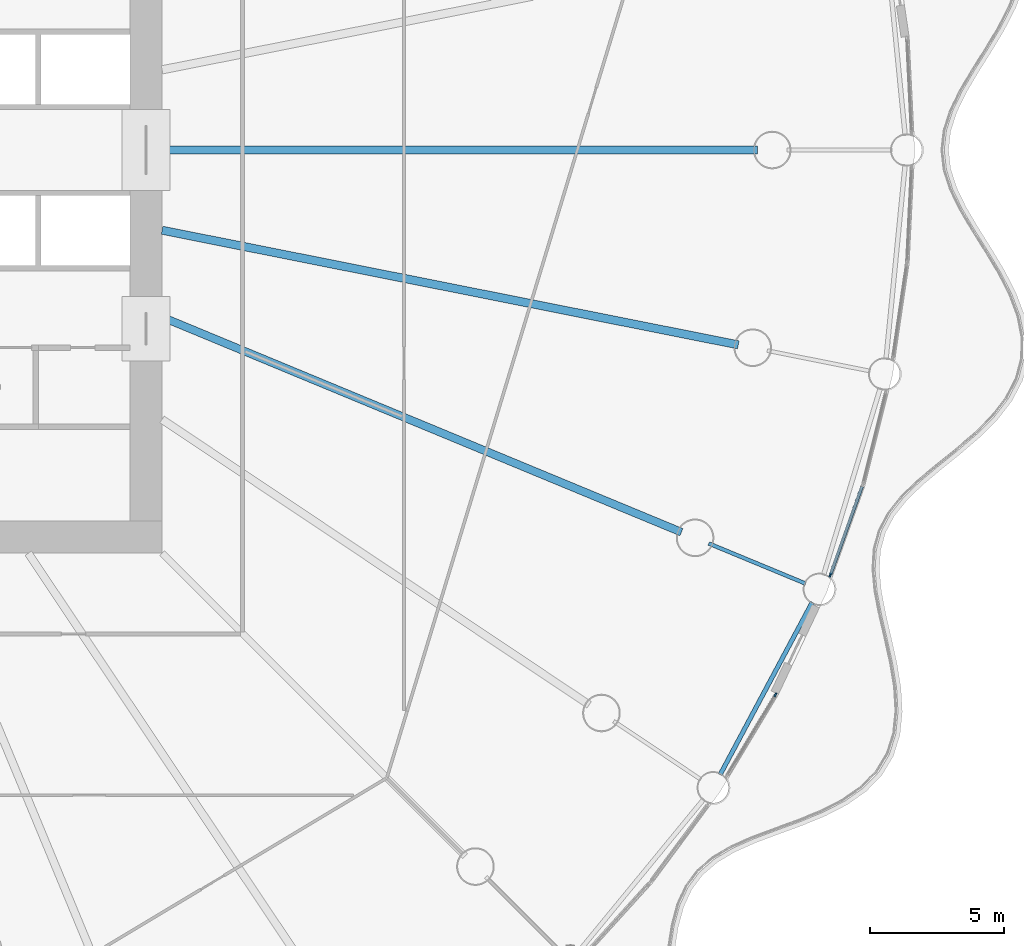
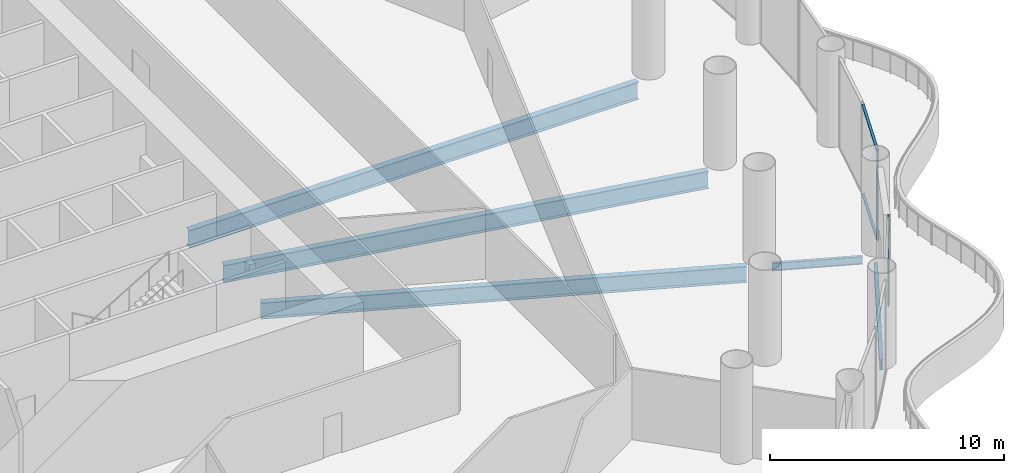
# One storey, part 11 of 35: 5 beams, 4 members, 2 elements without a shape of their own.
"""IFC4 building model written with IfcOpenShell, lengths in metres."""

from ifc_helpers import new_model, si_unit, direction, frame, origin, origin_2d, place, context, subcontext, project, spatial, rectangle, i_section, extrude, material, material_profile, profile_set, type_object, element, aggregate, save


model = new_model("IFC4")

# Units and contexts
model_context = context("Model", 3, precision=1e-05, world=origin(), true_north=direction((0.0, 1.0)))
body_context = subcontext(model_context, "Body", "Model", "MODEL_VIEW")
ifc_project = project(units=[si_unit("LENGTHUNIT", "METRE"), si_unit("AREAUNIT", "SQUARE_METRE"), si_unit("VOLUMEUNIT", "CUBIC_METRE"), si_unit("PLANEANGLEUNIT", "RADIAN"), si_unit("MASSUNIT", "GRAM", prefix="KILO")], contexts=[model_context])

# Site, building, storey
site_placement = place(None, origin())
site = spatial("IfcSite", under=ifc_project, at=site_placement, CompositionType="ELEMENT")
building_placement = place(site_placement, origin())
building = spatial("IfcBuilding", under=site, at=building_placement, Name="Corvane Civic Tower", CompositionType="ELEMENT")
storey_placement = place(building_placement, frame((0.0, 0.0, 22.0)))
storey = spatial("IfcBuildingStorey", under=building, at=storey_placement, Name="L04", CompositionType="ELEMENT", Elevation=22.0)

# Beams
ifc_material_1 = material(Name="Steel ASTM A992 Gr 50", Category="steel")
ifc_material_profile_1 = material_profile(ifc_material_1, i_section(OverallWidth=0.165771484375, OverallDepth=0.5283203125, WebThickness=0.009765625, FlangeThickness=0.013671875, at=origin_2d()), Name="W21X50")
ifc_profile_set_1 = profile_set([ifc_material_profile_1], Name="Steel ASTM A992 Gr 50")
beam_type_1 = type_object("IfcBeamType", Name="EDGE BEAM W21X50", PredefinedType="BEAM", material=ifc_profile_set_1)
beam_1_placement = place(storey_placement, frame((39.1904296875, -16.82568359375, -0.564208984375), z_axis=(-0.471412394598, -0.881912894916, 0.0), x_axis=(0.881912894916, -0.471412394598, 0.0)))
element("IfcBeam", 1, at=beam_1_placement, inside=storey, type_object=beam_type_1, Name="BM-L04-E11", PredefinedType="BEAM", context=body_context, shape_type="SweptSolid", body=[
    extrude(i_section(OverallWidth=0.165771484375, OverallDepth=0.5283203125, WebThickness=0.009765625, FlangeThickness=0.013671875, at=origin_2d()), origin(), (0.0, 0.0, 1.0), 7.270751953125),
])
ifc_material_2 = material(Name="Steel ASTM A992 Gr 50", Category="steel")
ifc_material_profile_2 = material_profile(ifc_material_2, i_section(OverallWidth=0.140380859375, OverallDepth=0.40380859375, WebThickness=0.007080078125, FlangeThickness=0.01123046875, at=origin_2d()), Name="W16X31")
ifc_profile_set_2 = profile_set([ifc_material_profile_2], Name="Steel ASTM A992 Gr 50")
beam_type_2 = type_object("IfcBeamType", Name="FLOOR GIRDER W16X31", PredefinedType="BEAM", material=ifc_profile_set_2)
beam_2_placement = place(storey_placement, frame((35.33837890625, -14.6376953125, -0.501953125), z_axis=(0.923878730261, -0.382685369162, 0.0), x_axis=(0.382685369162, 0.923878730261, 0.0)))
element("IfcBeam", 2, at=beam_2_placement, inside=storey, type_object=beam_type_2, Name="BM-L04-G11b", PredefinedType="BEAM", context=body_context, shape_type="SweptSolid", body=[
    extrude(i_section(OverallWidth=0.140380859375, OverallDepth=0.40380859375, WebThickness=0.007080078125, FlangeThickness=0.01123046875, at=origin_2d()), origin(), (0.0, 0.0, 1.0), 3.89990234375),
])
ifc_material_3 = material(Name="Steel ASTM A992 Gr 50", Category="steel")
ifc_material_profile_3 = material_profile(ifc_material_3, i_section(OverallWidth=0.2919921875, OverallDepth=0.845703125, WebThickness=0.015380859375, FlangeThickness=0.0244140625, at=origin_2d()), Name="W33X141")
ifc_profile_set_3 = profile_set([ifc_material_profile_3], Name="Steel ASTM A992 Gr 50")
beam_type_3 = type_object("IfcBeamType", Name="FLOOR GIRDER W33X141", PredefinedType="BEAM", material=ifc_profile_set_3)
beam_3_placement = place(storey_placement, frame((15.0, -6.213134765625, -0.722900390625), z_axis=(0.923875834355, -0.382692360381, 0.0), x_axis=(0.382692360381, 0.923875834355, 0.0)))
element("IfcBeam", 3, at=beam_3_placement, inside=storey, type_object=beam_type_3, Name="BM-L04-G11", PredefinedType="BEAM", context=body_context, shape_type="SweptSolid", body=[
    extrude(i_section(OverallWidth=0.2919921875, OverallDepth=0.845703125, WebThickness=0.015380859375, FlangeThickness=0.0244140625, at=origin_2d()), origin(), (0.0, 0.0, 1.0), 20.9140625),
])
ifc_material_4 = material(Name="Steel ASTM A992 Gr 50", Category="steel")
ifc_material_profile_4 = material_profile(ifc_material_4, i_section(OverallWidth=0.3046875, OverallDepth=0.911865234375, WebThickness=0.015869140625, FlangeThickness=0.02392578125, at=origin_2d()), Name="W36X150")
ifc_profile_set_4 = profile_set([ifc_material_profile_4], Name="Steel ASTM A992 Gr 50")
beam_type_4 = type_object("IfcBeamType", Name="FLOOR GIRDER W36X150", PredefinedType="BEAM", material=ifc_profile_set_4)
beam_4_placement = place(storey_placement, frame((15.0, 0.0, -0.755859375), z_axis=(1.0, 0.0, 0.0), x_axis=(0.0, 1.0, 0.0)))
element("IfcBeam", 4, at=beam_4_placement, inside=storey, type_object=beam_type_4, Name="BM-L04-G09", PredefinedType="BEAM", context=body_context, shape_type="SweptSolid", body=[
    extrude(i_section(OverallWidth=0.3046875, OverallDepth=0.911865234375, WebThickness=0.015869140625, FlangeThickness=0.02392578125, at=origin_2d()), origin(), (0.0, 0.0, 1.0), 22.14990234375),
])
beam_5_placement = place(storey_placement, frame((15.0, -2.983642578125, -0.755859375), z_axis=(0.980785499679, -0.195089219638, 0.0), x_axis=(0.195089219638, 0.980785499679, 0.0)))
element("IfcBeam", 5, at=beam_5_placement, inside=storey, type_object=beam_type_4, Name="BM-L04-G10", PredefinedType="BEAM", context=body_context, shape_type="SweptSolid", body=[
    extrude(i_section(OverallWidth=0.3046875, OverallDepth=0.911865234375, WebThickness=0.015869140625, FlangeThickness=0.02392578125, at=origin_2d()), origin(), (0.0, 0.0, 1.0), 21.856201171875),
])

# Curtain wall, member
ifc_material_5 = material(Name="Aluminium and glass", Category="aluminium")
curtain_wall_type = type_object("IfcCurtainWallType", Name="PODIUM-CW-P-RUN", PredefinedType="NOTDEFINED", material=ifc_material_5)
curtain_wall_1_placement = place(storey_placement, origin())
curtain_wall_1 = element("IfcCurtainWall", 6, at=curtain_wall_1_placement, inside=storey, type_object=curtain_wall_type, Name="PODI run L04-drum-10B", PredefinedType="NOTDEFINED")
ifc_material_6 = material(Name="Anodised aluminium bronze", Category="aluminium")
ifc_material_profile_5 = material_profile(ifc_material_6, rectangle(XDim=0.06005859375, YDim=0.159912109375, at=origin_2d()), Name="AL 60x160")
ifc_profile_set_5 = profile_set([ifc_material_profile_5], Name="Anodised aluminium bronze")
member_type_1 = type_object("IfcMemberType", Name="PODIUM-CWP-MULLION-60x160", PredefinedType="MULLION", material=ifc_profile_set_5)
member_1_placement = place(storey_placement, frame((39.861083984375, -15.81298828125, 0.0), z_axis=(0.0, 0.0, 1.0), x_axis=(0.941533802561, -0.336918534123, 0.0)))
member_1 = element("IfcMember", 7, at=member_1_placement, type_object=member_type_1, Name="CW-P mullion 2", PredefinedType="MULLION", context=body_context, shape_type="SweptSolid", body=[
    extrude(rectangle(XDim=0.06005859375, YDim=0.159912109375, at=origin_2d()), origin(), (0.0, 0.0, 1.0), 4.699951171875),
])

curtain_wall_2_placement = place(storey_placement, origin())
curtain_wall_2 = element("IfcCurtainWall", 8, at=curtain_wall_2_placement, inside=storey, type_object=curtain_wall_type, Name="PODI run L04-drum-11B", PredefinedType="NOTDEFINED")
member_2_placement = place(storey_placement, frame((37.819580078125, -20.2666015625, 0.0), z_axis=(0.0, 0.0, 1.0), x_axis=(0.857719609779, -0.514117759857, 0.0)))
member_2 = element("IfcMember", 9, at=member_2_placement, type_object=member_type_1, Name="CW-P mullion 1", PredefinedType="MULLION", context=body_context, shape_type="SweptSolid", body=[
    extrude(rectangle(XDim=0.06005859375, YDim=0.159912109375, at=origin_2d()), origin(), (0.0, 0.0, 1.0), 4.699951171875),
])
aggregate(curtain_wall_2, [member_2])

# Member
ifc_material_7 = material(Name="Anodised aluminium bronze", Category="aluminium")
ifc_material_profile_6 = material_profile(ifc_material_7, rectangle(XDim=0.1201171875, YDim=0.06005859375, at=origin_2d()), Name="AL 120x60")
ifc_profile_set_6 = profile_set([ifc_material_profile_6], Name="Anodised aluminium bronze")
member_type_2 = type_object("IfcMemberType", Name="PODIUM-CWP-TRANSOM-60x120", PredefinedType="USERDEFINED", material=ifc_profile_set_6)
member_3_placement = place(storey_placement, frame((41.036865234375, -12.527099609375, 0.030029296875), z_axis=(-0.336939787896, -0.941526196838, 0.0), x_axis=(0.941526196838, -0.336939787896, 0.0)))
member_3 = element("IfcMember", 10, at=member_3_placement, type_object=member_type_2, Name="CW-P transom 1.1", ObjectType="TRANSOM", PredefinedType="USERDEFINED", context=body_context, shape_type="SweptSolid", body=[
    extrude(rectangle(XDim=0.1201171875, YDim=0.06005859375, at=origin_2d()), origin(), (0.0, 0.0, 1.0), 3.4599609375),
])

member_4_placement = place(storey_placement, frame((41.036865234375, -12.527099609375, 4.669921875), z_axis=(-0.336939787896, -0.941526196838, 0.0), x_axis=(0.941526196838, -0.336939787896, 0.0)))
member_4 = element("IfcMember", 11, at=member_4_placement, type_object=member_type_2, Name="CW-P transom 1.2", ObjectType="TRANSOM", PredefinedType="USERDEFINED", context=body_context, shape_type="SweptSolid", body=[
    extrude(rectangle(XDim=0.1201171875, YDim=0.06005859375, at=origin_2d()), origin(), (0.0, 0.0, 1.0), 3.4599609375),
])

aggregate(curtain_wall_1, [member_1, member_3, member_4])

save(model, "model.ifc")
